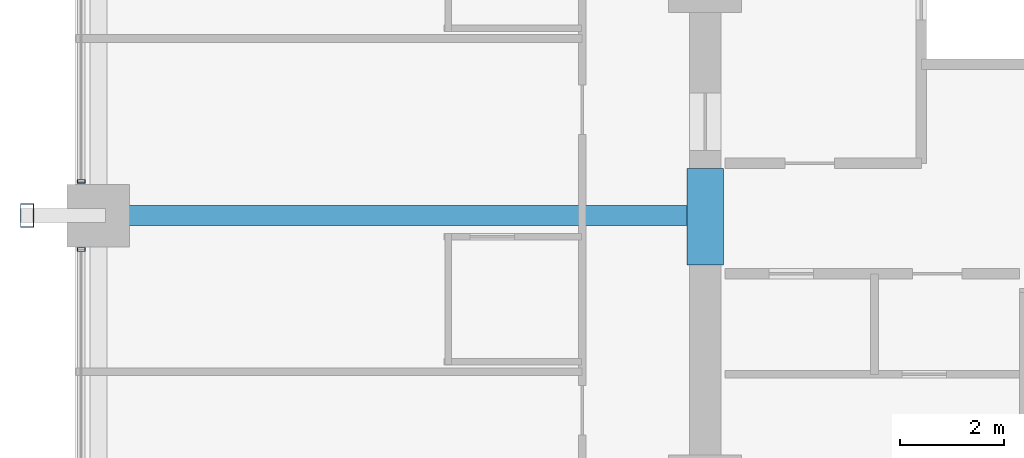
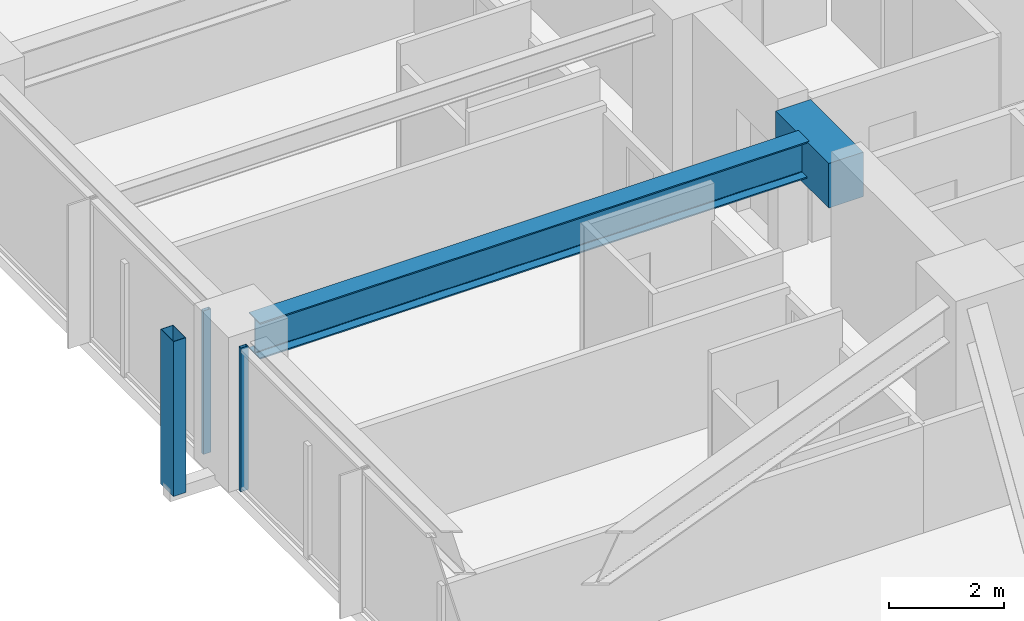
# One storey, part 7 of 38: 3 members, 2 beams, 2 elements without a shape of their own.
"""IFC4 building model written with IfcOpenShell, lengths in metres."""

from ifc_helpers import new_model, si_unit, direction, frame, origin, origin_2d, place, context, subcontext, project, spatial, rectangle, hollow_rectangle, i_section, extrude, material, material_profile, profile_set, type_object, element, aggregate, save


model = new_model("IFC4")

# Units and contexts
model_context = context("Model", 3, precision=1e-05, world=origin(), true_north=direction((0.0, 1.0)))
body_context = subcontext(model_context, "Body", "Model", "MODEL_VIEW")
ifc_project = project(units=[si_unit("LENGTHUNIT", "METRE"), si_unit("AREAUNIT", "SQUARE_METRE"), si_unit("VOLUMEUNIT", "CUBIC_METRE"), si_unit("PLANEANGLEUNIT", "RADIAN"), si_unit("MASSUNIT", "GRAM", prefix="KILO")], contexts=[model_context])

# Site, building, storey
site_placement = place(None, origin())
site = spatial("IfcSite", under=ifc_project, at=site_placement, CompositionType="ELEMENT")
building_placement = place(site_placement, origin())
building = spatial("IfcBuilding", under=site, at=building_placement, Name="Kolvaren Belvedere", CompositionType="ELEMENT")
storey_placement = place(building_placement, frame((0.0, 0.0, 50.199951171875)))
storey = spatial("IfcBuildingStorey", under=building, at=storey_placement, Name="L14", CompositionType="ELEMENT", Elevation=50.199951171875)

# Beams
ifc_material_1 = material(Name="Structural steel ASTM A992 Grade 50", Category="steel")
ifc_material_profile_1 = material_profile(ifc_material_1, i_section(OverallWidth=0.381103515625, OverallDepth=0.77294921875, WebThickness=0.0166015625, FlangeThickness=0.027099609375, FilletRadius=0.02392578125, at=origin_2d()), Name="W30X173")
ifc_profile_set_1 = profile_set([ifc_material_profile_1], Name="Structural steel ASTM A992 Grade 50")
beam_type_1 = type_object("IfcBeamType", Name="BM-GIRD-W30X173", PredefinedType="BEAM", material=ifc_profile_set_1)
beam_1_placement = place(storey_placement, frame((-10.199951171875, -4.60009765625, 2.673583984375), z_axis=(-1.0, 0.0, 0.0), x_axis=(0.0, -1.0, 0.0)))
element("IfcBeam", 1, at=beam_1_placement, inside=storey, type_object=beam_type_1, Name="L14 West Radial Girder M", PredefinedType="BEAM", context=body_context, shape_type="SweptSolid", body=[
    extrude(i_section(OverallWidth=0.381103515625, OverallDepth=0.77294921875, WebThickness=0.0166015625, FlangeThickness=0.027099609375, FilletRadius=0.02392578125, at=origin_2d()), origin(), (0.0, 0.0, 1.0), 11.080078125),
])
ifc_material_2 = material(Name="Concrete C60/75", Category="concrete")
ifc_material_profile_2 = material_profile(ifc_material_2, rectangle(XDim=0.699951171875, YDim=0.949951171875, at=origin_2d()), Name="RC 700X950")
ifc_profile_set_2 = profile_set([ifc_material_profile_2], Name="Concrete C60/75")
beam_type_2 = type_object("IfcBeamType", Name="BM-LINT-950", PredefinedType="LINTEL", material=ifc_profile_set_2)
beam_2_placement = place(storey_placement, frame((-9.89990234375, -5.550048828125, 2.5849609375), z_axis=(0.0, 1.0, 0.0), x_axis=(-1.0, 0.0, 0.0)))
element("IfcBeam", 2, at=beam_2_placement, inside=storey, type_object=beam_type_2, Name="L14 West Core Coupling Lintel", PredefinedType="LINTEL", context=body_context, shape_type="SweptSolid", body=[
    extrude(rectangle(XDim=0.699951171875, YDim=0.949951171875, at=origin_2d()), origin(), (0.0, 0.0, 1.0), 1.85009765625),
])

# Curtain wall, member
ifc_material_3 = material(Name="Anodised pale-metal aluminium AA 6063-T6", Category="aluminium")
curtain_wall_type = type_object("IfcCurtainWallType", Name="CW-Z1-LOW", PredefinedType="NOTDEFINED", material=ifc_material_3)
curtain_wall_1_placement = place(storey_placement, origin())
curtain_wall_1 = element("IfcCurtainWall", 3, at=curtain_wall_1_placement, inside=storey, type_object=curtain_wall_type, Name="L14 Unitised Curtain Wall FCW-L14-W-B1", PredefinedType="NOTDEFINED")
ifc_material_4 = material(Name="Anodised pale-metal aluminium AA 6063-T6", Category="aluminium")
ifc_material_profile_3 = material_profile(ifc_material_4, hollow_rectangle(XDim=0.070068359375, YDim=0.14990234375, WallThickness=0.004150390625, at=origin_2d()), Name="ALU-MUL-150X70")
ifc_profile_set_3 = profile_set([ifc_material_profile_3], Name="Anodised pale-metal aluminium AA 6063-T6")
member_type_1 = type_object("IfcMemberType", Name="CW-MUL-150", PredefinedType="MULLION", material=ifc_profile_set_3)
member_1_placement = place(storey_placement, frame((-21.8798828125, -5.2548828125, 0.0), z_axis=(0.0, 0.0, 1.0), x_axis=(0.0, 1.0, 0.0)))
member_1 = element("IfcMember", 4, at=member_1_placement, type_object=member_type_1, Name="FCW-L14-W-B1 Unitised Mullion 3", PredefinedType="MULLION", context=body_context, shape_type="SweptSolid", body=[
    extrude(hollow_rectangle(XDim=0.070068359375, YDim=0.14990234375, WallThickness=0.004150390625, at=origin_2d()), origin(), (0.0, 0.0, 1.0), 3.06005859375),
])
aggregate(curtain_wall_1, [member_1])

curtain_wall_2_placement = place(storey_placement, origin())
curtain_wall_2 = element("IfcCurtainWall", 5, at=curtain_wall_2_placement, inside=storey, type_object=curtain_wall_type, Name="L14 Unitised Curtain Wall FCW-L14-W-B2", PredefinedType="NOTDEFINED")
member_2_placement = place(storey_placement, frame((-21.8798828125, -3.945068359375, 0.0), z_axis=(0.0, 0.0, 1.0), x_axis=(0.0, 1.0, 0.0)))
member_2 = element("IfcMember", 6, at=member_2_placement, type_object=member_type_1, Name="FCW-L14-W-B2 Unitised Mullion 1", PredefinedType="MULLION", context=body_context, shape_type="SweptSolid", body=[
    extrude(hollow_rectangle(XDim=0.070068359375, YDim=0.14990234375, WallThickness=0.004150390625, at=origin_2d()), origin(), (0.0, 0.0, 1.0), 3.06005859375),
])
aggregate(curtain_wall_2, [member_2])

# Member
ifc_material_5 = material(Name="Anodised pale-metal aluminium AA 6063-T6", Category="aluminium")
ifc_material_profile_4 = material_profile(ifc_material_5, hollow_rectangle(XDim=0.25, YDim=0.449951171875, WallThickness=0.008544921875, at=origin_2d()), Name="ALU-PF-450X250")
ifc_profile_set_4 = profile_set([ifc_material_profile_4], Name="Anodised pale-metal aluminium AA 6063-T6")
member_type_2 = type_object("IfcMemberType", Name="PF-FRAME-450", PredefinedType="USERDEFINED", material=ifc_profile_set_4)
member_3_placement = place(storey_placement, frame((-22.919921875, -4.60009765625, 0.0), z_axis=(0.0, 0.0, 1.0), x_axis=(1.0, 0.0, 0.0)))
element("IfcMember", 7, at=member_3_placement, inside=storey, type_object=member_type_2, Name="L14 Outboard Picture-Frame Vertical W1", ObjectType="PICTURE FRAME FIN", PredefinedType="USERDEFINED", context=body_context, shape_type="SweptSolid", body=[
    extrude(hollow_rectangle(XDim=0.25, YDim=0.449951171875, WallThickness=0.008544921875, at=origin_2d()), origin(), (0.0, 0.0, 1.0), 3.300048828125),
])

save(model, "model.ifc")
